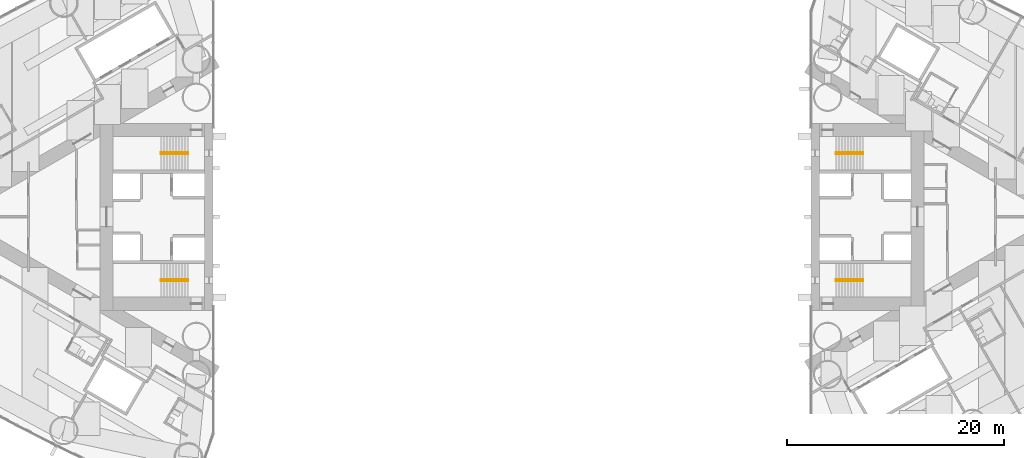
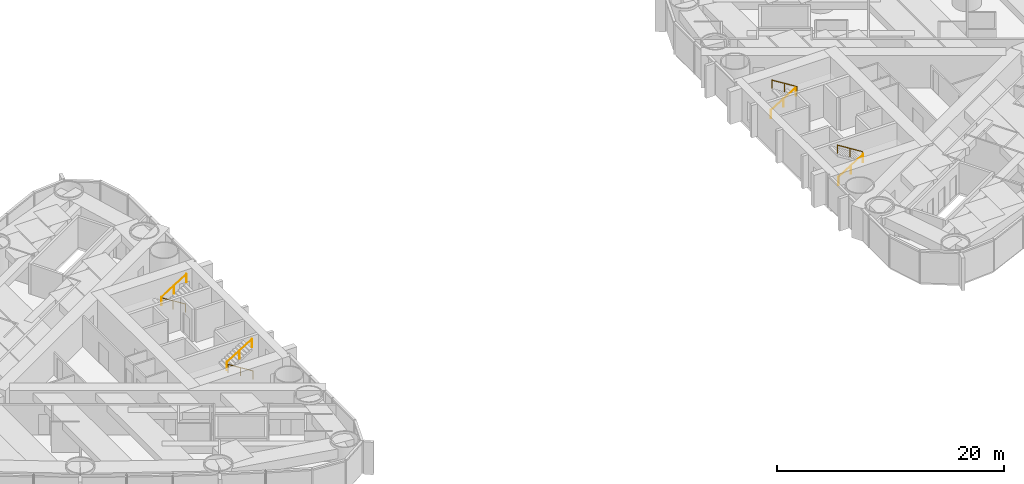
# One storey, part 17 of 18: 8 railings.
"""IFC4 building model written with IfcOpenShell, lengths in metres."""

from ifc_helpers import new_model, si_unit, direction, frame, origin, origin_2d, place, context, subcontext, project, spatial, circle, extrude, material, type_object, element, save


model = new_model("IFC4")

# Units and contexts
model_context = context("Model", 3, precision=1e-05, world=origin(), true_north=direction((0.0, 1.0)))
body_context = subcontext(model_context, "Body", "Model", "MODEL_VIEW")
ifc_project = project(units=[si_unit("LENGTHUNIT", "METRE"), si_unit("AREAUNIT", "SQUARE_METRE"), si_unit("VOLUMEUNIT", "CUBIC_METRE"), si_unit("PLANEANGLEUNIT", "RADIAN"), si_unit("MASSUNIT", "GRAM", prefix="KILO")], contexts=[model_context])

# Site, building, storey
site_placement = place(None, origin())
site = spatial("IfcSite", under=ifc_project, at=site_placement, CompositionType="ELEMENT")
building_placement = place(site_placement, origin())
building = spatial("IfcBuilding", under=site, at=building_placement, Name="Lancet Gate Hotel", CompositionType="ELEMENT")
storey_placement = place(building_placement, frame((0.0, 0.0, 97.60009765625)))
storey = spatial("IfcBuildingStorey", under=building, at=storey_placement, Name="L25", CompositionType="ELEMENT", Elevation=97.60009765625)

# Railings
ifc_material = material(Name="Stainless steel handrail", Category="steel")
railing_type = type_object("IfcRailingType", Name="Stair handrail 900", PredefinedType="HANDRAIL", material=ifc_material)
railing_1_placement = place(storey_placement, frame((-29.800048828125, 5.929931640625, 0.1748046875)))
element("IfcRailing", 1, at=railing_1_placement, inside=storey, type_object=railing_type, Name="ST1 handrail flight 1 L25", PredefinedType="HANDRAIL", context=body_context, shape_type="SweptSolid", body=[
    extrude(circle(Radius=0.02392578125, at=origin_2d()), frame((0.0, 0.0, 0.8759765625), z_axis=(-0.847970611238, 0.0, 0.530043245855), x_axis=(0.0, -1.0, 0.0)), (0.0, 0.0, 1.0), 2.971923828125),
    extrude(circle(Radius=0.02099609375, at=origin_2d()), origin(), (0.0, 0.0, 1.0), 0.851806640625),
    extrude(circle(Radius=0.02099609375, at=origin_2d()), frame((-1.260009765625, 0.0, 0.78759765625)), (0.0, 0.0, 1.0), 0.851806640625),
    extrude(circle(Radius=0.02099609375, at=origin_2d()), frame((-2.52001953125, 0.0, 1.5751953125)), (0.0, 0.0, 1.0), 0.851806640625),
])
railing_2_placement = place(storey_placement, frame((-32.320068359375, 5.77001953125, 1.9248046875)))
element("IfcRailing", 2, at=railing_2_placement, inside=storey, type_object=railing_type, Name="ST1 handrail flight 2 L25", PredefinedType="HANDRAIL", context=body_context, shape_type="SweptSolid", body=[
    extrude(circle(Radius=0.02392578125, at=origin_2d()), frame((0.0, 0.0, 0.8759765625), z_axis=(0.847970611238, 0.0, 0.530043245855), x_axis=(0.0, 1.0, 0.0)), (0.0, 0.0, 1.0), 2.971923828125),
    extrude(circle(Radius=0.02099609375, at=origin_2d()), origin(), (0.0, 0.0, 1.0), 0.851806640625),
    extrude(circle(Radius=0.02099609375, at=origin_2d()), frame((1.260009765625, 0.0, 0.78759765625)), (0.0, 0.0, 1.0), 0.851806640625),
    extrude(circle(Radius=0.02099609375, at=origin_2d()), frame((2.52001953125, 0.0, 1.5751953125)), (0.0, 0.0, 1.0), 0.851806640625),
])
railing_3_placement = place(storey_placement, frame((-29.800048828125, -5.929931640625, 0.1748046875)))
element("IfcRailing", 3, at=railing_3_placement, inside=storey, type_object=railing_type, Name="ST2 handrail flight 1 L25", PredefinedType="HANDRAIL", context=body_context, shape_type="SweptSolid", body=[
    extrude(circle(Radius=0.02392578125, at=origin_2d()), frame((0.0, 0.0, 0.8759765625), z_axis=(-0.847970611238, 0.0, 0.530043245855), x_axis=(0.0, -1.0, 0.0)), (0.0, 0.0, 1.0), 2.971923828125),
    extrude(circle(Radius=0.02099609375, at=origin_2d()), origin(), (0.0, 0.0, 1.0), 0.851806640625),
    extrude(circle(Radius=0.02099609375, at=origin_2d()), frame((-1.260009765625, 0.0, 0.78759765625)), (0.0, 0.0, 1.0), 0.851806640625),
    extrude(circle(Radius=0.02099609375, at=origin_2d()), frame((-2.52001953125, 0.0, 1.5751953125)), (0.0, 0.0, 1.0), 0.851806640625),
])
for number, where, name in (
    (4, (-32.320068359375, -5.77001953125, 1.9248046875), "ST2 handrail flight 2 L25"),
    (5, (29.800048828125, -5.929931640625, 0.1748046875), "ST3 handrail flight 1 L25"),
):
    element("IfcRailing", number, at=place(storey_placement, frame(where)), inside=storey, type_object=railing_type, Name=name, PredefinedType="HANDRAIL", context=body_context, shape_type="SweptSolid", body=[
        extrude(circle(Radius=0.02392578125, at=origin_2d()), frame((0.0, 0.0, 0.8759765625), z_axis=(0.847970611238, 0.0, 0.530043245855), x_axis=(0.0, 1.0, 0.0)), (0.0, 0.0, 1.0), 2.971923828125),
        extrude(circle(Radius=0.02099609375, at=origin_2d()), origin(), (0.0, 0.0, 1.0), 0.851806640625),
        extrude(circle(Radius=0.02099609375, at=origin_2d()), frame((1.260009765625, 0.0, 0.78759765625)), (0.0, 0.0, 1.0), 0.851806640625),
        extrude(circle(Radius=0.02099609375, at=origin_2d()), frame((2.52001953125, 0.0, 1.5751953125)), (0.0, 0.0, 1.0), 0.851806640625),
    ])
railing_4_placement = place(storey_placement, frame((32.320068359375, -5.77001953125, 1.9248046875)))
element("IfcRailing", 6, at=railing_4_placement, inside=storey, type_object=railing_type, Name="ST3 handrail flight 2 L25", PredefinedType="HANDRAIL", context=body_context, shape_type="SweptSolid", body=[
    extrude(circle(Radius=0.02392578125, at=origin_2d()), frame((0.0, 0.0, 0.8759765625), z_axis=(-0.847970611238, 0.0, 0.530043245855), x_axis=(0.0, -1.0, 0.0)), (0.0, 0.0, 1.0), 2.971923828125),
    extrude(circle(Radius=0.02099609375, at=origin_2d()), origin(), (0.0, 0.0, 1.0), 0.851806640625),
    extrude(circle(Radius=0.02099609375, at=origin_2d()), frame((-1.260009765625, 0.0, 0.78759765625)), (0.0, 0.0, 1.0), 0.851806640625),
    extrude(circle(Radius=0.02099609375, at=origin_2d()), frame((-2.52001953125, 0.0, 1.5751953125)), (0.0, 0.0, 1.0), 0.851806640625),
])
railing_5_placement = place(storey_placement, frame((29.800048828125, 5.929931640625, 0.1748046875)))
element("IfcRailing", 7, at=railing_5_placement, inside=storey, type_object=railing_type, Name="ST4 handrail flight 1 L25", PredefinedType="HANDRAIL", context=body_context, shape_type="SweptSolid", body=[
    extrude(circle(Radius=0.02392578125, at=origin_2d()), frame((0.0, 0.0, 0.8759765625), z_axis=(0.847970611238, 0.0, 0.530043245855), x_axis=(0.0, 1.0, 0.0)), (0.0, 0.0, 1.0), 2.971923828125),
    extrude(circle(Radius=0.02099609375, at=origin_2d()), origin(), (0.0, 0.0, 1.0), 0.851806640625),
    extrude(circle(Radius=0.02099609375, at=origin_2d()), frame((1.260009765625, 0.0, 0.78759765625)), (0.0, 0.0, 1.0), 0.851806640625),
    extrude(circle(Radius=0.02099609375, at=origin_2d()), frame((2.52001953125, 0.0, 1.5751953125)), (0.0, 0.0, 1.0), 0.851806640625),
])
railing_6_placement = place(storey_placement, frame((32.320068359375, 5.77001953125, 1.9248046875)))
element("IfcRailing", 8, at=railing_6_placement, inside=storey, type_object=railing_type, Name="ST4 handrail flight 2 L25", PredefinedType="HANDRAIL", context=body_context, shape_type="SweptSolid", body=[
    extrude(circle(Radius=0.02392578125, at=origin_2d()), frame((0.0, 0.0, 0.8759765625), z_axis=(-0.847970611238, 0.0, 0.530043245855), x_axis=(0.0, -1.0, 0.0)), (0.0, 0.0, 1.0), 2.971923828125),
    extrude(circle(Radius=0.02099609375, at=origin_2d()), origin(), (0.0, 0.0, 1.0), 0.851806640625),
    extrude(circle(Radius=0.02099609375, at=origin_2d()), frame((-1.260009765625, 0.0, 0.78759765625)), (0.0, 0.0, 1.0), 0.851806640625),
    extrude(circle(Radius=0.02099609375, at=origin_2d()), frame((-2.52001953125, 0.0, 1.5751953125)), (0.0, 0.0, 1.0), 0.851806640625),
])

save(model, "model.ifc")
